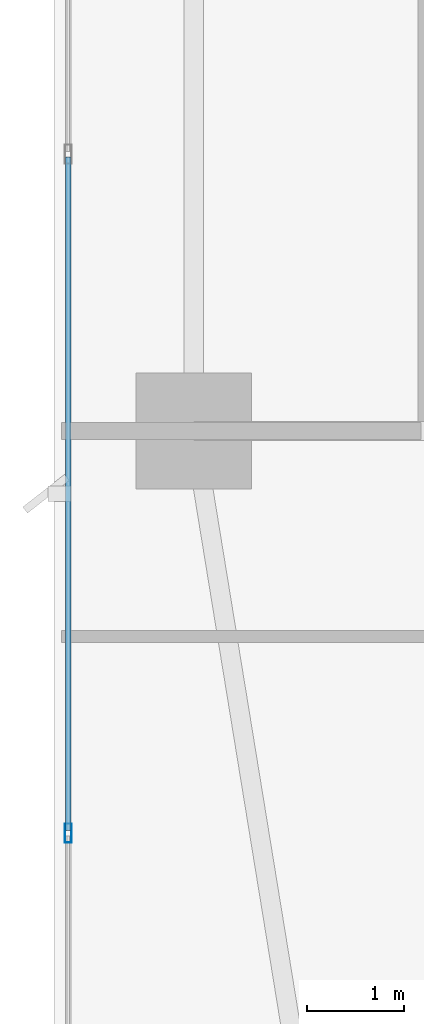
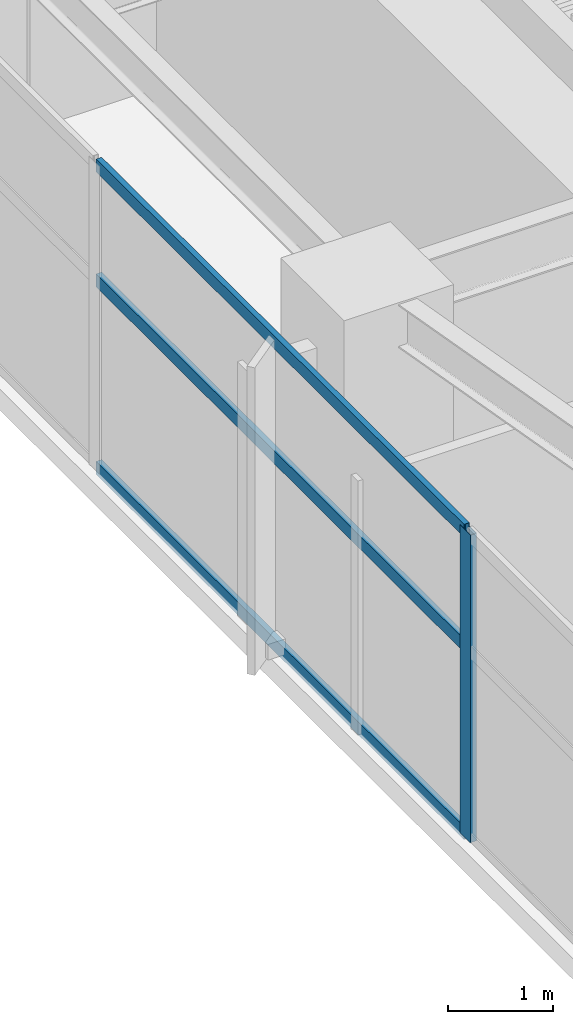
# One storey, part 4 of 28: 4 members, 1 element without a shape of its own.
"""IFC4 building model written with IfcOpenShell, lengths in metres."""

import ifcopenshell
import ifcopenshell.guid

model = None  # the IFC model being written
_history = None  # IfcOwnerHistory: only IFC2X3 demands one
_inside = {}  # id of a spatial element -> (the spatial element, [elements in it])
_under = {}  # id of a project, library or spatial element -> (it, [spatial elements below it])
_declared = {}  # id of a project -> (the project, [libraries it declares])
_typed = {}  # id of a type object -> (the type object, [elements of that type])
_made_of = {}  # id of a material, layer set ... -> (it, [elements and type objects made of it])


def new_model(schema):
    """Start an empty IFC model of exactly this schema.

    Asked for "IFC4X3", IfcOpenShell would pick the latest addendum, in which some entities
    have other attributes; the version numbers below select the first issue.
    IFC2X3 requires an IfcOwnerHistory on every rooted entity: one is made here for all.
    """
    global model, _history
    if schema == "IFC4X3":
        model = ifcopenshell.file(schema_version=(4, 3, 0, 0))
    else:
        model = ifcopenshell.file(schema=schema)
    _inside.clear()
    _under.clear()
    _declared.clear()
    _typed.clear()
    _made_of.clear()
    _history = None
    if model.schema == "IFC2X3":
        org = make("IfcOrganization", Name="unknown")
        user = make(
            "IfcPersonAndOrganization",
            ThePerson=make("IfcPerson", FamilyName="unknown"),
            TheOrganization=org,
        )
        app = make(
            "IfcApplication",
            ApplicationDeveloper=org,
            Version="unknown",
            ApplicationFullName="unknown",
            ApplicationIdentifier="unknown",
        )
        _history = make(
            "IfcOwnerHistory",
            OwningUser=user,
            OwningApplication=app,
            ChangeAction="ADDED",
            CreationDate=0,
        )
    return model


def make(cls, **values):
    """One entity of the class cls with the attributes given. An attribute that is None is left unset."""
    return model.create_entity(
        cls, **{name: value for name, value in values.items() if value is not None}
    )


def rooted(cls, **values):
    """An entity with a GlobalId (a new one), such as an element, a storey or a relation."""
    return make(cls, GlobalId=ifcopenshell.guid.new(), OwnerHistory=_history, **values)


def si_unit(unit_type, name, prefix=None):
    """IfcSIUnit, for example si_unit("LENGTHUNIT", "METRE", prefix="MILLI")."""
    return make("IfcSIUnit", UnitType=unit_type, Prefix=prefix, Name=name)


def assignment(units):
    """IfcUnitAssignment: the units of a project."""
    return None if units is None else make("IfcUnitAssignment", Units=units)


def point(xyz):
    """IfcCartesianPoint."""
    return None if xyz is None else make("IfcCartesianPoint", Coordinates=xyz)


def direction(xyz):
    """IfcDirection."""
    return None if xyz is None else make("IfcDirection", DirectionRatios=xyz)


def frame(location, z_axis=None, x_axis=None):
    """IfcAxis2Placement3D, a coordinate frame: its origin and axes. An axis left out is left unset."""
    return make(
        "IfcAxis2Placement3D",
        Location=point(location),
        Axis=direction(z_axis),
        RefDirection=direction(x_axis),
    )


def frame_2d(location, x_axis=None):
    """IfcAxis2Placement2D, a coordinate frame in the plane: its origin and x axis."""
    return make(
        "IfcAxis2Placement2D", Location=point(location), RefDirection=direction(x_axis)
    )


def origin():
    """The frame at (0, 0, 0) with its axes left unset."""
    return frame((0.0, 0.0, 0.0))


def origin_2d():
    """The frame at (0, 0) in the plane with its x axis left unset."""
    return frame_2d((0.0, 0.0))


def place(relative_to, where):
    """IfcLocalPlacement: puts the frame where relative to a parent placement (None: the world)."""
    return make(
        "IfcLocalPlacement", PlacementRelTo=relative_to, RelativePlacement=where
    )


def context(
    kind, dimensions, precision=None, world=None, true_north=None, identifier=None
):
    """IfcGeometricRepresentationContext, for example the 3D "Model" context."""
    return make(
        "IfcGeometricRepresentationContext",
        ContextIdentifier=identifier,
        ContextType=kind,
        CoordinateSpaceDimension=dimensions,
        Precision=precision,
        WorldCoordinateSystem=world,
        TrueNorth=true_north,
    )


def subcontext(parent, identifier, kind, view, scale=None):
    """IfcGeometricRepresentationSubContext, for example "Body" below "Model"."""
    return make(
        "IfcGeometricRepresentationSubContext",
        ContextIdentifier=identifier,
        ContextType=kind,
        ParentContext=parent,
        TargetScale=scale,
        TargetView=view,
    )


def project(units=None, contexts=None):
    """IfcProject with its units and contexts."""
    return rooted(
        "IfcProject",
        Name="project",
        RepresentationContexts=contexts,
        UnitsInContext=assignment(units),
    )


def spatial(cls, under=None, at=None, **own):
    """A site, building, storey or space (cls), placed at a placement, below another one or the project."""
    s = rooted(cls, ObjectPlacement=at, **own)
    if under is not None:
        _under.setdefault(under.id(), (under, []))[1].append(s)
    return s


def profile(cls, at=None, kind="AREA", **sizes):
    """A parametric profile (cls). Its sizes go by their IFC names, for example OverallWidth=200.0."""
    return make(cls, ProfileType=kind, Position=at, **sizes)


def hollow_rectangle(**sizes):
    """IfcRectangleHollowProfileDef."""
    return profile("IfcRectangleHollowProfileDef", **sizes)


def extrude(swept, where, along, depth):
    """IfcExtrudedAreaSolid: the profile swept, set in the frame where, extruded along a direction by depth."""
    return make(
        "IfcExtrudedAreaSolid",
        SweptArea=swept,
        Position=where,
        ExtrudedDirection=direction(along),
        Depth=depth,
    )


def shape(context_of_items, identifier, shape_type, items):
    """IfcShapeRepresentation: the items that make up one representation, for example the "Body"."""
    return make(
        "IfcShapeRepresentation",
        ContextOfItems=context_of_items,
        RepresentationIdentifier=identifier,
        RepresentationType=shape_type,
        Items=items,
    )


def material(Name=None, Category=None):
    """IfcMaterial."""
    return make("IfcMaterial", Name=Name, Category=Category)


def layer(
    of_material, thickness, ventilated=None, Name=None, Category=None, Priority=None
):
    """IfcMaterialLayer: one layer of a wall or slab, of a material (None: an air gap)."""
    return make(
        "IfcMaterialLayer",
        Material=of_material,
        LayerThickness=thickness,
        IsVentilated=ventilated,
        Name=Name,
        Category=Category,
        Priority=Priority,
    )


def layer_set(layers, Name=None):
    """IfcMaterialLayerSet."""
    return make("IfcMaterialLayerSet", MaterialLayers=layers, LayerSetName=Name)


def material_profile(
    of_material, cross_section, Name=None, Category=None, Priority=None
):
    """IfcMaterialProfile: a cross section and its material."""
    return make(
        "IfcMaterialProfile",
        Name=Name,
        Material=of_material,
        Profile=cross_section,
        Priority=Priority,
        Category=Category,
    )


def profile_set(profiles, Name=None, composite=None):
    """IfcMaterialProfileSet."""
    return make(
        "IfcMaterialProfileSet",
        Name=Name,
        MaterialProfiles=profiles,
        CompositeProfile=composite,
    )


def made_of(thing, what):
    """Note that an element or type object is made of a material, layer set ...; save() writes the relation."""
    if what is not None:
        _made_of.setdefault(what.id(), (what, []))[1].append(thing)
    return thing


def type_object(cls, material=None, **own):
    """A type object (cls), such as IfcWallType, which elements share."""
    return made_of(rooted(cls, **own), material)


def element(
    cls,
    number,
    at=None,
    inside=None,
    cuts=None,
    type_object=None,
    material=None,
    context=None,
    identifier="Body",
    shape_type=None,
    held_by="IfcProductDefinitionShape",
    body=None,
    shapes=None,
    **own,
):
    """One element of the class cls, such as IfcWall. Its Tag is "e" and its number.

    at: its placement. inside: the storey or other place that contains it. cuts: it is an
    opening in that element (IfcRelVoidsElement). A single representation is given by context,
    identifier, shape_type and body (its items); several are given by shapes. held_by: the class
    of the entity that holds the representations. save() writes the other relations.
    """
    e = rooted(cls, Tag="e%d" % number, ObjectPlacement=at, **own)
    if body is not None:
        shapes = [shape(context, identifier, shape_type, body)]
    if shapes is not None:
        e.Representation = make(held_by, Representations=shapes)
    if inside is not None:
        _inside.setdefault(inside.id(), (inside, []))[1].append(e)
    if cuts is not None:
        rooted(
            "IfcRelVoidsElement", RelatingBuildingElement=cuts, RelatedOpeningElement=e
        )
    if type_object is not None:
        _typed.setdefault(type_object.id(), (type_object, []))[1].append(e)
    return made_of(e, material)


def aggregate(whole, parts):
    """IfcRelAggregates: a whole, such as a stair, and the parts it consists of."""
    return rooted("IfcRelAggregates", RelatingObject=whole, RelatedObjects=parts)


def save(model, path):
    """Write the relations noted so far, then the file.

    IfcRelAggregates (storeys below a building ...), IfcRelContainedInSpatialStructure (elements
    in a storey), IfcRelDefinesByType, IfcRelAssociatesMaterial and IfcRelDeclares: one each for
    every whole, place, type object, material and project.
    """
    for whole, parts in _under.values():
        aggregate(whole, parts)
    for where, things in _inside.values():
        rooted(
            "IfcRelContainedInSpatialStructure",
            RelatedElements=things,
            RelatingStructure=where,
        )
    for kind, things in _typed.values():
        rooted("IfcRelDefinesByType", RelatedObjects=things, RelatingType=kind)
    for what, things in _made_of.values():
        rooted("IfcRelAssociatesMaterial", RelatedObjects=things, RelatingMaterial=what)
    for by, libraries in _declared.values():
        rooted("IfcRelDeclares", RelatingContext=by, RelatedDefinitions=libraries)
    model.write(path)


model = new_model("IFC4")

# Units and contexts
model_context = context("Model", 3, precision=1e-05, world=origin(), true_north=direction((0.0, 1.0)))
body_context = subcontext(model_context, "Body", "Model", "MODEL_VIEW")
ifc_project = project(units=[si_unit("LENGTHUNIT", "METRE"), si_unit("AREAUNIT", "SQUARE_METRE"), si_unit("VOLUMEUNIT", "CUBIC_METRE"), si_unit("PLANEANGLEUNIT", "RADIAN"), si_unit("MASSUNIT", "GRAM", prefix="KILO")], contexts=[model_context])

# Site, building, storey
site_placement = place(None, origin())
site = spatial("IfcSite", under=ifc_project, at=site_placement, CompositionType="ELEMENT")
building_placement = place(site_placement, origin())
building = spatial("IfcBuilding", under=site, at=building_placement, Name="Calvorn Quay Hotel", CompositionType="ELEMENT")
storey_placement = place(building_placement, frame((0.0, 0.0, 152.300048828125)))
storey = spatial("IfcBuildingStorey", under=building, at=storey_placement, Name="L37", CompositionType="ELEMENT", Elevation=152.300048828125)

# Curtain wall, members
ifc_material_1 = material(Name="Pale Anodised Aluminium and Low-E Glass", Category="aluminium")
ifc_layer = layer(ifc_material_1, 0.219970703125)
ifc_layer_set = layer_set([ifc_layer], Name="CW-SYS-Z2")
curtain_wall_type = type_object("IfcCurtainWallType", Name="CW-SYS-Z2", PredefinedType="NOTDEFINED", material=ifc_layer_set)
curtain_wall_placement = place(storey_placement, origin())
curtain_wall = element("IfcCurtainWall", 1, at=curtain_wall_placement, inside=storey, type_object=curtain_wall_type, Name="Tower West Curtain Wall (L37)", PredefinedType="NOTDEFINED")
ifc_material_2 = material(Name="Pale Anodised Aluminium 6063-T6", Category="aluminium")
ifc_material_profile_1 = material_profile(ifc_material_2, hollow_rectangle(XDim=0.070068359375, YDim=0.199951171875, WallThickness=0.00390625, at=origin_2d()), Name="ALU-M200x70x4")
ifc_profile_set_1 = profile_set([ifc_material_profile_1], Name="Pale Anodised Aluminium 6063-T6")
member_type_1 = type_object("IfcMemberType", Name="CW-SYS-Z2-MUL", PredefinedType="MULLION", material=ifc_profile_set_1)
member_1_placement = place(storey_placement, frame((0.14990234375, 12.63330078125, 0.0), z_axis=(0.0, 0.0, 1.0), x_axis=(-1.0, 0.0, 0.0)))
member_1 = element("IfcMember", 2, at=member_1_placement, type_object=member_type_1, Name="CW-L37-W mullion 2", PredefinedType="MULLION", context=body_context, shape_type="SweptSolid", body=[
    extrude(hollow_rectangle(XDim=0.070068359375, YDim=0.199951171875, WallThickness=0.00390625, at=origin_2d()), origin(), (0.0, 0.0, 1.0), 3.56005859375),
])
ifc_material_3 = material(Name="Pale Anodised Aluminium 6063-T6", Category="aluminium")
ifc_material_profile_2 = material_profile(ifc_material_3, hollow_rectangle(XDim=0.06005859375, YDim=0.14990234375, WallThickness=0.00341796875, at=origin_2d()), Name="ALU-T150x60x3.5")
ifc_profile_set_2 = profile_set([ifc_material_profile_2], Name="Pale Anodised Aluminium 6063-T6")
member_type_2 = type_object("IfcMemberType", Name="CW-SYS-Z2-TRN", PredefinedType="USERDEFINED", material=ifc_profile_set_2)
member_2_placement = place(storey_placement, frame((0.14990234375, 12.663330078125, 0.030029296875), z_axis=(0.0, 1.0, 0.0), x_axis=(-1.0, 0.0, 0.0)))
member_2 = element("IfcMember", 3, at=member_2_placement, type_object=member_type_2, Name="CW-L37-W transom 2.1", ObjectType="TRANSOM", PredefinedType="USERDEFINED", context=body_context, shape_type="SweptSolid", body=[
    extrude(hollow_rectangle(XDim=0.06005859375, YDim=0.14990234375, WallThickness=0.00341796875, at=origin_2d()), origin(), (0.0, 0.0, 1.0), 6.973388671875),
])
member_3_placement = place(storey_placement, frame((0.14990234375, 12.663330078125, 2.199951171875), z_axis=(0.0, 1.0, 0.0), x_axis=(-1.0, 0.0, 0.0)))
member_3 = element("IfcMember", 4, at=member_3_placement, type_object=member_type_2, Name="CW-L37-W transom 2.2", ObjectType="TRANSOM", PredefinedType="USERDEFINED", context=body_context, shape_type="SweptSolid", body=[
    extrude(hollow_rectangle(XDim=0.06005859375, YDim=0.14990234375, WallThickness=0.00341796875, at=origin_2d()), origin(), (0.0, 0.0, 1.0), 6.973388671875),
])
member_4_placement = place(storey_placement, frame((0.14990234375, 12.663330078125, 3.530029296875), z_axis=(0.0, 1.0, 0.0), x_axis=(-1.0, 0.0, 0.0)))
member_4 = element("IfcMember", 5, at=member_4_placement, type_object=member_type_2, Name="CW-L37-W transom 2.3", ObjectType="TRANSOM", PredefinedType="USERDEFINED", context=body_context, shape_type="SweptSolid", body=[
    extrude(hollow_rectangle(XDim=0.06005859375, YDim=0.14990234375, WallThickness=0.00341796875, at=origin_2d()), origin(), (0.0, 0.0, 1.0), 6.973388671875),
])
aggregate(curtain_wall, [member_1, member_2, member_3, member_4])

save(model, "model.ifc")
